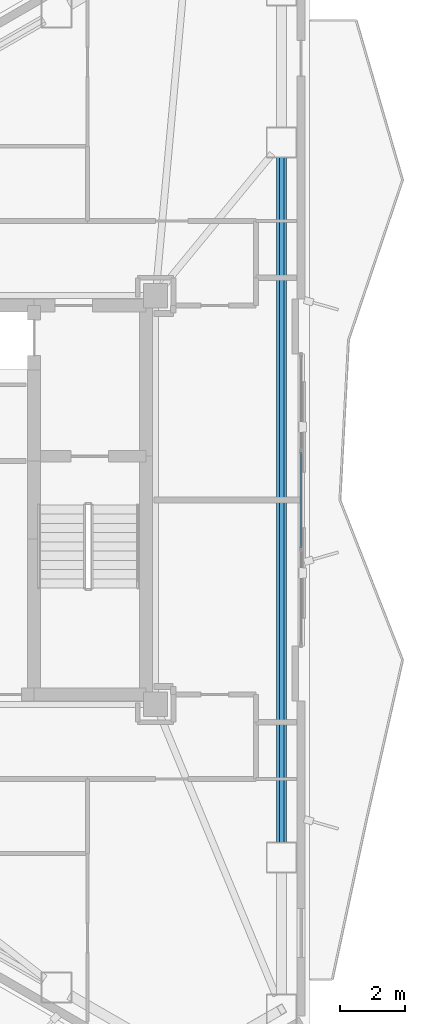
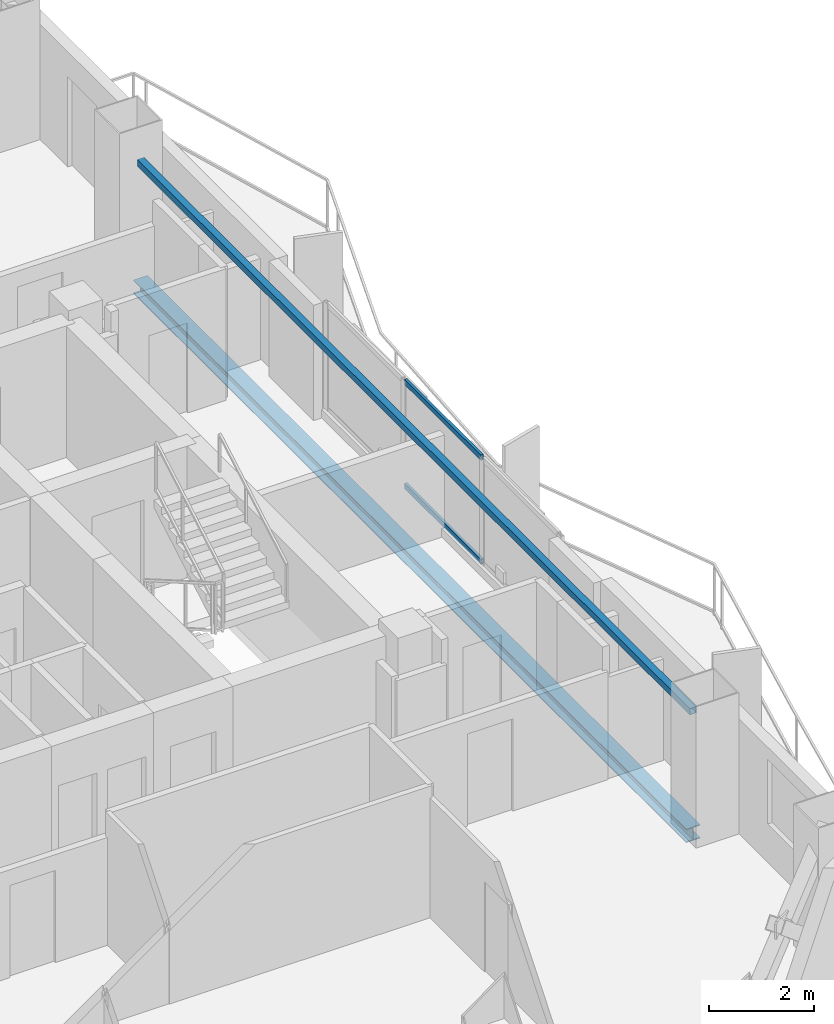
# One storey, part 12 of 22: 2 beams, 2 members, 1 element without a shape of its own.
"""IFC4 building model written with IfcOpenShell, lengths in metres."""

from ifc_helpers import new_model, si_unit, direction, frame, origin, origin_2d, place, context, subcontext, project, spatial, hollow_rectangle, i_section, extrude, material, layer, layer_set, material_profile, profile_set, type_object, element, aggregate, save


model = new_model("IFC4")

# Units and contexts
model_context = context("Model", 3, precision=1e-05, world=origin(), true_north=direction((0.0, 1.0)))
body_context = subcontext(model_context, "Body", "Model", "MODEL_VIEW")
ifc_project = project(units=[si_unit("LENGTHUNIT", "METRE"), si_unit("AREAUNIT", "SQUARE_METRE"), si_unit("VOLUMEUNIT", "CUBIC_METRE"), si_unit("PLANEANGLEUNIT", "RADIAN"), si_unit("MASSUNIT", "GRAM", prefix="KILO")], contexts=[model_context])

# Site, building, storey
site_placement = place(None, origin())
site = spatial("IfcSite", under=ifc_project, at=site_placement, CompositionType="ELEMENT")
building_placement = place(site_placement, origin())
building = spatial("IfcBuilding", under=site, at=building_placement, Name="Mersakhor Tower and Convention Hall", CompositionType="ELEMENT")
storey_placement = place(building_placement, frame((0.0, 0.0, 192.0)))
storey = spatial("IfcBuildingStorey", under=building, at=storey_placement, Name="L53", CompositionType="ELEMENT", Elevation=192.0)

# Beams
ifc_material_1 = material(Name="Steel S355", Category="steel")
ifc_material_profile_1 = material_profile(ifc_material_1, hollow_rectangle(XDim=0.14990234375, YDim=0.14990234375, WallThickness=0.010009765625, at=origin_2d()), Name="SHS 150x150x10")
ifc_profile_set_1 = profile_set([ifc_material_profile_1], Name="Steel S355")
beam_type_1 = type_object("IfcBeamType", Name="BM-GRT-SHS150", PredefinedType="USERDEFINED", material=ifc_profile_set_1)
beam_1_placement = place(storey_placement, frame((39.98828125, 37.31787109375, 2.47998046875), z_axis=(0.0, -1.0, 0.0), x_axis=(1.0, 0.0, 0.0)))
element("IfcBeam", 1, at=beam_1_placement, inside=storey, type_object=beam_type_1, Name="L53 Facade Support Girt GRT-F2", ObjectType="GIRT", PredefinedType="USERDEFINED", context=body_context, shape_type="SweptSolid", body=[
    extrude(hollow_rectangle(XDim=0.14990234375, YDim=0.14990234375, WallThickness=0.010009765625, at=origin_2d()), origin(), (0.0, 0.0, 1.0), 21.1357421875),
])
ifc_material_2 = material(Name="Steel S355", Category="steel")
ifc_material_profile_2 = material_profile(ifc_material_2, i_section(OverallWidth=0.30908203125, OverallDepth=0.320556640625, WebThickness=0.013916015625, FlangeThickness=0.021728515625, at=origin_2d()), Name="UC 305x305x137")
ifc_profile_set_2 = profile_set([ifc_material_profile_2], Name="Steel S355")
beam_type_2 = type_object("IfcBeamType", Name="BM-SPD-UC305", PredefinedType="SPANDREL", material=ifc_profile_set_2)
beam_2_placement = place(storey_placement, frame((39.98828125, 37.31787109375, -0.39013671875), z_axis=(0.0, -1.0, 0.0), x_axis=(1.0, 0.0, 0.0)))
element("IfcBeam", 2, at=beam_2_placement, inside=storey, type_object=beam_type_2, Name="L53 Perimeter Spandrel Beam SPB-06", PredefinedType="SPANDREL", context=body_context, shape_type="SweptSolid", body=[
    extrude(i_section(OverallWidth=0.30908203125, OverallDepth=0.320556640625, WebThickness=0.013916015625, FlangeThickness=0.021728515625, at=origin_2d()), origin(), (0.0, 0.0, 1.0), 21.1357421875),
])

# Curtain wall, members
ifc_material_3 = material(Name="Dark solar low-E aluminium curtain wall", Category="aluminium")
ifc_layer = layer(ifc_material_3, 0.169921875)
ifc_layer_set = layer_set([ifc_layer], Name="Dark solar low-E aluminium curtain wall")
curtain_wall_type = type_object("IfcCurtainWallType", Name="CW-SYS-02", PredefinedType="USERDEFINED", material=ifc_layer_set)
curtain_wall_placement = place(storey_placement, origin())
curtain_wall = element("IfcCurtainWall", 3, at=curtain_wall_placement, inside=storey, type_object=curtain_wall_type, Name="L53 Dark-Glass Curtain Wall F2-B2", ObjectType="CURTAIN WALL", PredefinedType="USERDEFINED")
ifc_material_4 = material(Name="Anodised aluminium EN AW-6063 T6", Category="aluminium")
ifc_material_profile_3 = material_profile(ifc_material_4, hollow_rectangle(XDim=0.06005859375, YDim=0.1201171875, WallThickness=0.0048828125, at=origin_2d()), Name="RHS 120x60x5")
ifc_profile_set_3 = profile_set([ifc_material_profile_3], Name="Anodised aluminium EN AW-6063 T6")
member_type = type_object("IfcMemberType", Name="CWT-120x60", PredefinedType="USERDEFINED", material=ifc_profile_set_3)
member_1_placement = place(storey_placement, frame((40.58837890625, 28.21240234375, 0.22998046875), z_axis=(0.0, -1.0, 0.0), x_axis=(1.0, 0.0, 0.0)))
member_1 = element("IfcMember", 4, at=member_1_placement, type_object=member_type, Name="CW-02 transom 2.1", ObjectType="TRANSOM", PredefinedType="USERDEFINED", context=body_context, shape_type="SweptSolid", body=[
    extrude(hollow_rectangle(XDim=0.06005859375, YDim=0.1201171875, WallThickness=0.0048828125, at=origin_2d()), origin(), (0.0, 0.0, 1.0), 2.9248046875),
])
member_2_placement = place(storey_placement, frame((40.58837890625, 28.21240234375, 2.659912109375), z_axis=(0.0, -1.0, 0.0), x_axis=(1.0, 0.0, 0.0)))
member_2 = element("IfcMember", 5, at=member_2_placement, type_object=member_type, Name="CW-02 transom 2.2", ObjectType="TRANSOM", PredefinedType="USERDEFINED", context=body_context, shape_type="SweptSolid", body=[
    extrude(hollow_rectangle(XDim=0.06005859375, YDim=0.1201171875, WallThickness=0.0048828125, at=origin_2d()), origin(), (0.0, 0.0, 1.0), 2.9248046875),
])
aggregate(curtain_wall, [member_1, member_2])

save(model, "model.ifc")
